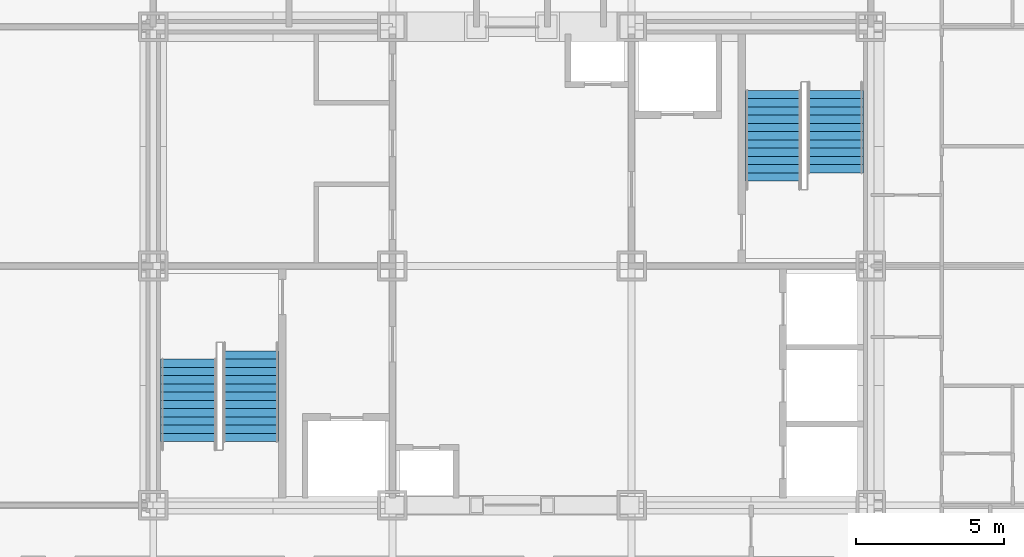
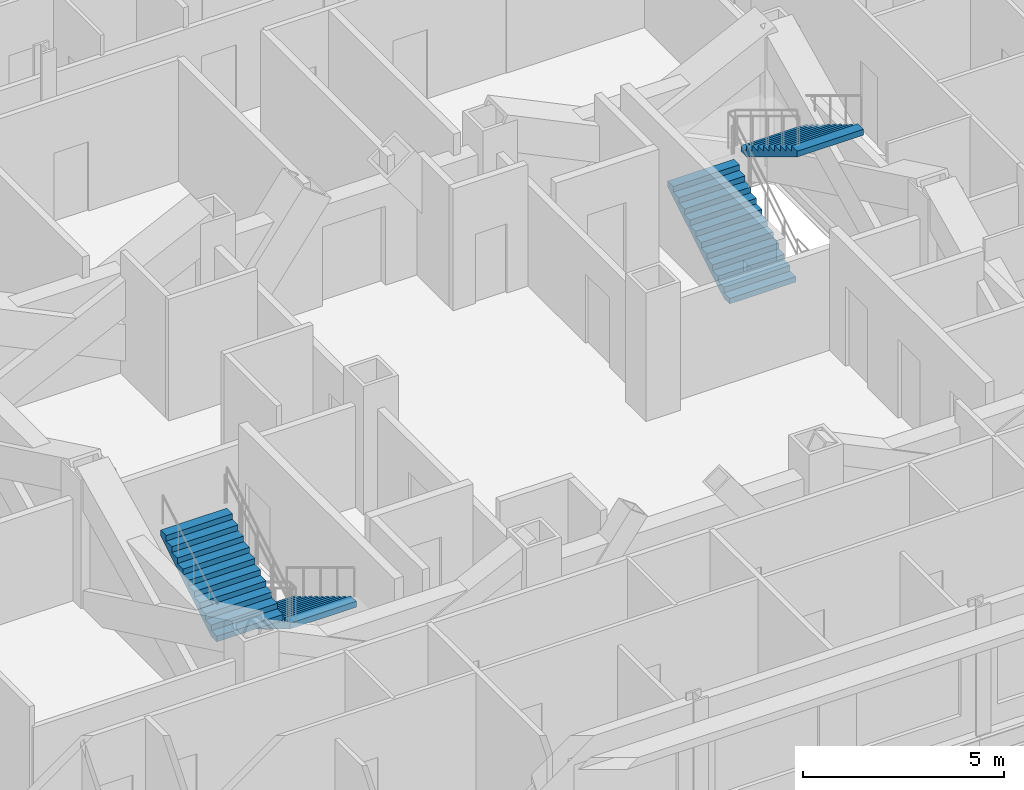
# One storey, part 15 of 16: 4 stair flights, 2 elements without a shape of their own.
"""IFC4 building model written with IfcOpenShell, lengths in metres."""

from ifc_helpers import new_model, si_unit, direction, frame, origin, place, context, subcontext, project, spatial, polygons, source, transform, mapped, material, type_object, element, aggregate, save


model = new_model("IFC4")

# Units and contexts
model_context = context("Model", 3, precision=1e-05, world=origin(), true_north=direction((0.0, 1.0)))
body_context = subcontext(model_context, "Body", "Model", "MODEL_VIEW")
ifc_project = project(units=[si_unit("LENGTHUNIT", "METRE"), si_unit("AREAUNIT", "SQUARE_METRE"), si_unit("VOLUMEUNIT", "CUBIC_METRE"), si_unit("PLANEANGLEUNIT", "RADIAN"), si_unit("MASSUNIT", "GRAM", prefix="KILO")], contexts=[model_context])

# Site, building, storey
site_placement = place(None, origin())
site = spatial("IfcSite", under=ifc_project, at=site_placement, CompositionType="ELEMENT")
building_placement = place(site_placement, origin())
building = spatial("IfcBuilding", under=site, at=building_placement, Name="Kopane Lantern Tower", CompositionType="ELEMENT")
storey_placement = place(building_placement, frame((0.0, 0.0, 261.89990234375)))
storey = spatial("IfcBuildingStorey", under=building, at=storey_placement, Name="L67", CompositionType="ELEMENT", Elevation=261.89990234375)

# Stair, stair flight
ifc_material_1 = material(Name="Steel S355JR", Category="steel")
stair_type = type_object("IfcStairType", Name="EXIT STAIR 1900 HALF TURN", PredefinedType="HALF_TURN_STAIR", material=ifc_material_1)
stair_1_placement = place(storey_placement, origin())
stair_1 = element("IfcStair", 1, at=stair_1_placement, inside=storey, type_object=stair_type, Name="Exit stair ST1 L67", PredefinedType="HALF_TURN_STAIR")
ifc_material_2 = material(Name="Steel S355JR", Category="steel")
stair_flight_type = type_object("IfcStairFlightType", Name="STAIR FLIGHT 1900 STEEL", PredefinedType="STRAIGHT", material=ifc_material_2)
shared_shape_1 = source(origin(), body_context, "Body", "Tessellation", [
    polygons([(3.080078125, 0.949951172, 1.865234375), (2.800048828, 0.949951172, 1.865234375), (2.800048828, -0.949951172, 1.865234375), (3.080078125, -0.949951172, 1.865234375), (0.289306641, 0.949951172, 0.0), (3.080078125, 0.949951172, 1.689941406), (3.080078125, -0.949951172, 1.689941406), (0.289306641, -0.949951172, 0.0), (0.0, 0.949951172, 0.0), (0.0, -0.949951172, 0.0), (0.280029297, 0.949951172, 0.169677734), (0.0, 0.949951172, 0.169677734), (0.0, -0.949951172, 0.169677734), (0.280029297, -0.949951172, 0.169677734), (0.280029297, 0.949951172, 0.339111328), (0.280029297, -0.949951172, 0.339111328), (0.560058594, 0.949951172, 0.339111328), (0.560058594, -0.949951172, 0.339111328), (0.560058594, 0.949951172, 0.508789062), (0.560058594, -0.949951172, 0.508789062), (0.840087891, 0.949951172, 0.508789062), (0.840087891, -0.949951172, 0.508789062), (0.840087891, 0.949951172, 0.678222656), (0.840087891, -0.949951172, 0.678222656), (1.120117188, 0.949951172, 0.678222656), (1.120117188, -0.949951172, 0.678222656), (1.120117188, 0.949951172, 0.847900391), (1.120117188, -0.949951172, 0.847900391), (1.399902344, 0.949951172, 0.847900391), (1.399902344, -0.949951172, 0.847900391), (1.399902344, 0.949951172, 1.017333984), (1.399902344, -0.949951172, 1.017333984), (1.679931641, 0.949951172, 1.017333984), (1.679931641, -0.949951172, 1.017333984), (1.679931641, 0.949951172, 1.187011719), (1.679931641, -0.949951172, 1.187011719), (1.959960938, 0.949951172, 1.187011719), (1.959960938, -0.949951172, 1.187011719), (1.959960938, 0.949951172, 1.356445312), (1.959960938, -0.949951172, 1.356445312), (2.239990234, 0.949951172, 1.356445312), (2.239990234, -0.949951172, 1.356445312), (2.239990234, 0.949951172, 1.526123047), (2.239990234, -0.949951172, 1.526123047), (2.520019531, 0.949951172, 1.526123047), (2.520019531, -0.949951172, 1.526123047), (2.520019531, 0.949951172, 1.695556641), (2.520019531, -0.949951172, 1.695556641), (2.800048828, 0.949951172, 1.695556641), (2.800048828, -0.949951172, 1.695556641), (0.0, 0.0, 0.004585885), (0.0, 0.0, 0.009171769), (0.0, 0.0, 0.013757654), (0.0, 0.0, 0.018343539), (0.0, 0.0, 0.022929424), (0.0, 0.0, 0.027515308), (0.0, 0.0, 0.032101193), (0.0, 0.0, 0.036687078), (0.0, 0.0, 0.041272962), (0.0, 0.0, 0.045858847), (0.0, 0.0, 0.050444732), (0.0, 0.0, 0.055030617), (0.0, 0.0, 0.059616501), (0.0, 0.0, 0.064202386), (0.0, 0.0, 0.068788271), (0.0, 0.0, 0.073374155), (0.0, 0.0, 0.07796004), (0.0, 0.0, 0.082545925), (0.0, 0.0, 0.08713181), (0.0, 0.0, 0.091717694), (0.0, 0.0, 0.096303579), (0.0, 0.0, 0.100889464), (0.0, 0.0, 0.105475348), (0.0, 0.0, 0.110061233), (0.0, 0.0, 0.114647118), (0.0, 0.0, 0.119233003), (0.0, 0.0, 0.123818887), (0.0, 0.0, 0.128404772), (0.0, 0.0, 0.132990657), (0.0, 0.0, 0.137576541), (0.0, 0.0, 0.142162426), (0.0, 0.0, 0.146748311), (0.0, 0.0, 0.151334196), (0.0, 0.0, 0.15592008), (0.0, 0.0, 0.160505965), (0.0, 0.0, 0.16509185), (3.080078125, 0.0, 1.694679054), (3.080078125, 0.0, 1.699416702), (3.080078125, 0.0, 1.70415435), (3.080078125, 0.0, 1.708891997), (3.080078125, 0.0, 1.713629645), (3.080078125, 0.0, 1.718367293), (3.080078125, 0.0, 1.723104941), (3.080078125, 0.0, 1.727842589), (3.080078125, 0.0, 1.732580236), (3.080078125, 0.0, 1.737317884), (3.080078125, 0.0, 1.742055532), (3.080078125, 0.0, 1.74679318), (3.080078125, 0.0, 1.751530828), (3.080078125, 0.0, 1.756268476), (3.080078125, 0.0, 1.761006123), (3.080078125, 0.0, 1.765743771), (3.080078125, 0.0, 1.770481419), (3.080078125, 0.0, 1.775219067), (3.080078125, 0.0, 1.779956715), (3.080078125, 0.0, 1.784694362), (3.080078125, 0.0, 1.78943201), (3.080078125, 0.0, 1.794169658), (3.080078125, 0.0, 1.798907306), (3.080078125, 0.0, 1.803644954), (3.080078125, 0.0, 1.808382601), (3.080078125, 0.0, 1.813120249), (3.080078125, 0.0, 1.817857897), (3.080078125, 0.0, 1.822595545), (3.080078125, 0.0, 1.827333193), (3.080078125, 0.0, 1.83207084), (3.080078125, 0.0, 1.836808488), (3.080078125, 0.0, 1.841546136), (3.080078125, 0.0, 1.846283784), (3.080078125, 0.0, 1.851021432), (3.080078125, 0.0, 1.855759079), (3.080078125, 0.0, 1.860496727)], [[[1, 2, 3]], [[1, 3, 4]], [[5, 6, 7]], [[5, 7, 8]], [[9, 5, 8]], [[9, 8, 10]], [[11, 12, 13]], [[11, 13, 14]], [[15, 11, 14]], [[15, 14, 16]], [[17, 15, 16]], [[17, 16, 18]], [[19, 17, 18]], [[19, 18, 20]], [[21, 19, 20]], [[21, 20, 22]], [[23, 21, 22]], [[23, 22, 24]], [[25, 23, 24]], [[25, 24, 26]], [[27, 25, 26]], [[27, 26, 28]], [[29, 27, 28]], [[29, 28, 30]], [[31, 29, 30]], [[31, 30, 32]], [[33, 31, 32]], [[33, 32, 34]], [[35, 33, 34]], [[35, 34, 36]], [[37, 35, 36]], [[37, 36, 38]], [[39, 37, 38]], [[39, 38, 40]], [[41, 39, 40]], [[41, 40, 42]], [[43, 41, 42]], [[43, 42, 44]], [[45, 43, 44]], [[45, 44, 46]], [[47, 45, 46]], [[47, 46, 48]], [[49, 47, 48]], [[49, 48, 50]], [[2, 49, 50]], [[2, 50, 3]], [[49, 1, 6]], [[45, 49, 6]], [[2, 1, 49]], [[41, 45, 6]], [[47, 49, 45]], [[37, 41, 6]], [[43, 45, 41]], [[39, 41, 37]], [[35, 37, 33]], [[31, 33, 29]], [[5, 21, 25]], [[27, 29, 25]], [[17, 21, 5]], [[23, 25, 21]], [[11, 17, 5]], [[19, 21, 17]], [[9, 11, 5]], [[15, 17, 11]], [[12, 11, 9]], [[6, 5, 25]], [[6, 25, 29]], [[6, 29, 33]], [[6, 33, 37]], [[7, 4, 50]], [[7, 50, 46]], [[50, 4, 3]], [[7, 46, 42]], [[46, 50, 48]], [[7, 42, 38]], [[42, 46, 44]], [[38, 42, 40]], [[34, 38, 36]], [[30, 34, 32]], [[26, 22, 8]], [[26, 30, 28]], [[8, 22, 18]], [[22, 26, 24]], [[8, 18, 14]], [[18, 22, 20]], [[8, 14, 10]], [[14, 18, 16]], [[10, 14, 13]], [[26, 8, 7]], [[30, 26, 7]], [[34, 30, 7]], [[38, 34, 7]], [[10, 51, 9]], [[10, 52, 51]], [[9, 51, 52]], [[10, 53, 52]], [[9, 52, 53]], [[10, 54, 53]], [[9, 53, 54]], [[10, 55, 54]], [[9, 54, 55]], [[10, 56, 55]], [[9, 55, 56]], [[10, 57, 56]], [[9, 56, 57]], [[10, 58, 57]], [[9, 57, 58]], [[10, 59, 58]], [[9, 58, 59]], [[10, 60, 59]], [[9, 59, 60]], [[10, 61, 60]], [[9, 60, 61]], [[10, 62, 61]], [[9, 61, 62]], [[10, 63, 62]], [[9, 62, 63]], [[10, 64, 63]], [[9, 63, 64]], [[10, 65, 64]], [[9, 64, 65]], [[10, 66, 65]], [[9, 65, 66]], [[10, 67, 66]], [[9, 66, 67]], [[10, 68, 67]], [[9, 67, 68]], [[10, 69, 68]], [[9, 68, 69]], [[10, 70, 69]], [[9, 69, 70]], [[10, 71, 70]], [[9, 70, 71]], [[10, 72, 71]], [[9, 71, 72]], [[10, 73, 72]], [[9, 72, 73]], [[10, 74, 73]], [[9, 73, 74]], [[10, 75, 74]], [[9, 74, 75]], [[10, 76, 75]], [[9, 75, 76]], [[10, 77, 76]], [[9, 76, 77]], [[10, 78, 77]], [[9, 77, 78]], [[10, 79, 78]], [[9, 78, 79]], [[10, 80, 79]], [[9, 79, 80]], [[10, 81, 80]], [[9, 80, 81]], [[10, 82, 81]], [[9, 81, 82]], [[10, 83, 82]], [[9, 82, 83]], [[10, 84, 83]], [[9, 83, 84]], [[10, 85, 84]], [[9, 84, 85]], [[10, 86, 85]], [[9, 85, 86]], [[10, 13, 86]], [[86, 13, 12]], [[9, 86, 12]], [[7, 6, 87]], [[7, 87, 88]], [[6, 88, 87]], [[7, 88, 89]], [[6, 89, 88]], [[7, 89, 90]], [[6, 90, 89]], [[7, 90, 91]], [[6, 91, 90]], [[7, 91, 92]], [[6, 92, 91]], [[7, 92, 93]], [[6, 93, 92]], [[7, 93, 94]], [[6, 94, 93]], [[7, 94, 95]], [[6, 95, 94]], [[7, 95, 96]], [[6, 96, 95]], [[7, 96, 97]], [[6, 97, 96]], [[7, 97, 98]], [[6, 98, 97]], [[7, 98, 99]], [[6, 99, 98]], [[7, 99, 100]], [[6, 100, 99]], [[7, 100, 101]], [[6, 101, 100]], [[7, 101, 102]], [[6, 102, 101]], [[7, 102, 103]], [[6, 103, 102]], [[7, 103, 104]], [[6, 104, 103]], [[7, 104, 105]], [[6, 105, 104]], [[7, 105, 106]], [[6, 106, 105]], [[7, 106, 107]], [[6, 107, 106]], [[7, 107, 108]], [[6, 108, 107]], [[7, 108, 109]], [[6, 109, 108]], [[7, 109, 110]], [[6, 110, 109]], [[7, 110, 111]], [[6, 111, 110]], [[7, 111, 112]], [[6, 112, 111]], [[7, 112, 113]], [[6, 113, 112]], [[7, 113, 114]], [[6, 114, 113]], [[7, 114, 115]], [[6, 115, 114]], [[7, 115, 116]], [[6, 116, 115]], [[7, 116, 117]], [[6, 117, 116]], [[7, 117, 118]], [[6, 118, 117]], [[7, 118, 119]], [[6, 119, 118]], [[7, 119, 120]], [[6, 120, 119]], [[7, 120, 121]], [[6, 121, 120]], [[7, 121, 122]], [[6, 122, 121]], [[7, 122, 4]], [[122, 1, 4]], [[6, 1, 122]]], closed=True),
])
stair_flight_1_placement = place(storey_placement, frame((19.5, 29.530029296875, 0.0), z_axis=(0.0, 0.0, 1.0), x_axis=(0.0, -1.0, 0.0)))
stair_flight_1 = element("IfcStairFlight", 2, at=stair_flight_1_placement, type_object=stair_flight_type, Name="ST1 flight 1", NumberOfRisers=12, NumberOfTreads=11, PredefinedType="STRAIGHT", RiserHeight=0.169565217, TreadLength=0.28, context=body_context, shape_type="MappedRepresentation", body=[
    mapped(shared_shape_1, transform((0.0, 0.0, 0.0))),
])

stair_2_placement = place(storey_placement, origin())
stair_2 = element("IfcStair", 3, at=stair_2_placement, inside=storey, type_object=stair_type, Name="Exit stair ST2 L67", PredefinedType="HALF_TURN_STAIR")
stair_flight_2_placement = place(storey_placement, frame((37.199951171875, 35.27001953125, 0.0), z_axis=(0.0, 0.0, 1.0), x_axis=(0.0, 1.0, 0.0)))
stair_flight_2 = element("IfcStairFlight", 4, at=stair_flight_2_placement, type_object=stair_flight_type, Name="ST2 flight 1", NumberOfRisers=12, NumberOfTreads=11, PredefinedType="STRAIGHT", RiserHeight=0.169565217, TreadLength=0.28, context=body_context, shape_type="MappedRepresentation", body=[
    mapped(shared_shape_1, transform((0.0, 0.0, 0.0))),
])

# Stair flight
shared_shape_2 = source(origin(), body_context, "Body", "Tessellation", [
    polygons([(2.800048828, 0.949951172, 1.695556641), (2.520019531, 0.949951172, 1.695556641), (2.520019531, -0.949951172, 1.695556641), (2.800048828, -0.949951172, 1.695556641), (0.289306641, 0.949951172, 0.0), (2.800048828, 0.949951172, 1.520507812), (2.800048828, -0.949951172, 1.520507812), (0.289306641, -0.949951172, 0.0), (0.0, 0.949951172, 0.0), (0.0, -0.949951172, 0.0), (0.280029297, 0.949951172, 0.169677734), (0.0, 0.949951172, 0.169677734), (0.0, -0.949951172, 0.169677734), (0.280029297, -0.949951172, 0.169677734), (0.280029297, 0.949951172, 0.339111328), (0.280029297, -0.949951172, 0.339111328), (0.560058594, 0.949951172, 0.339111328), (0.560058594, -0.949951172, 0.339111328), (0.560058594, 0.949951172, 0.508789062), (0.560058594, -0.949951172, 0.508789062), (0.840087891, 0.949951172, 0.508789062), (0.840087891, -0.949951172, 0.508789062), (0.840087891, 0.949951172, 0.678222656), (0.840087891, -0.949951172, 0.678222656), (1.120117188, 0.949951172, 0.678222656), (1.120117188, -0.949951172, 0.678222656), (1.120117188, 0.949951172, 0.847900391), (1.120117188, -0.949951172, 0.847900391), (1.399902344, 0.949951172, 0.847900391), (1.399902344, -0.949951172, 0.847900391), (1.399902344, 0.949951172, 1.017333984), (1.399902344, -0.949951172, 1.017333984), (1.679931641, 0.949951172, 1.017333984), (1.679931641, -0.949951172, 1.017333984), (1.679931641, 0.949951172, 1.187011719), (1.679931641, -0.949951172, 1.187011719), (1.959960938, 0.949951172, 1.187011719), (1.959960938, -0.949951172, 1.187011719), (1.959960938, 0.949951172, 1.356445312), (1.959960938, -0.949951172, 1.356445312), (2.239990234, 0.949951172, 1.356445312), (2.239990234, -0.949951172, 1.356445312), (2.239990234, 0.949951172, 1.526123047), (2.239990234, -0.949951172, 1.526123047), (2.520019531, 0.949951172, 1.526123047), (2.520019531, -0.949951172, 1.526123047), (0.0, 0.0, 0.004585885), (0.0, 0.0, 0.009171769), (0.0, 0.0, 0.013757654), (0.0, 0.0, 0.018343539), (0.0, 0.0, 0.022929424), (0.0, 0.0, 0.027515308), (0.0, 0.0, 0.032101193), (0.0, 0.0, 0.036687078), (0.0, 0.0, 0.041272962), (0.0, 0.0, 0.045858847), (0.0, 0.0, 0.050444732), (0.0, 0.0, 0.055030617), (0.0, 0.0, 0.059616501), (0.0, 0.0, 0.064202386), (0.0, 0.0, 0.068788271), (0.0, 0.0, 0.073374155), (0.0, 0.0, 0.07796004), (0.0, 0.0, 0.082545925), (0.0, 0.0, 0.08713181), (0.0, 0.0, 0.091717694), (0.0, 0.0, 0.096303579), (0.0, 0.0, 0.100889464), (0.0, 0.0, 0.105475348), (0.0, 0.0, 0.110061233), (0.0, 0.0, 0.114647118), (0.0, 0.0, 0.119233003), (0.0, 0.0, 0.123818887), (0.0, 0.0, 0.128404772), (0.0, 0.0, 0.132990657), (0.0, 0.0, 0.137576541), (0.0, 0.0, 0.142162426), (0.0, 0.0, 0.146748311), (0.0, 0.0, 0.151334196), (0.0, 0.0, 0.15592008), (0.0, 0.0, 0.160505965), (0.0, 0.0, 0.16509185), (2.800048828, 0.0, 1.525238862), (2.800048828, 0.0, 1.529969911), (2.800048828, 0.0, 1.534700961), (2.800048828, 0.0, 1.53943201), (2.800048828, 0.0, 1.54416306), (2.800048828, 0.0, 1.548894109), (2.800048828, 0.0, 1.553625158), (2.800048828, 0.0, 1.558356208), (2.800048828, 0.0, 1.563087257), (2.800048828, 0.0, 1.567818307), (2.800048828, 0.0, 1.572549356), (2.800048828, 0.0, 1.577280405), (2.800048828, 0.0, 1.582011455), (2.800048828, 0.0, 1.586742504), (2.800048828, 0.0, 1.591473554), (2.800048828, 0.0, 1.596204603), (2.800048828, 0.0, 1.600935652), (2.800048828, 0.0, 1.605666702), (2.800048828, 0.0, 1.610397751), (2.800048828, 0.0, 1.615128801), (2.800048828, 0.0, 1.61985985), (2.800048828, 0.0, 1.624590899), (2.800048828, 0.0, 1.629321949), (2.800048828, 0.0, 1.634052998), (2.800048828, 0.0, 1.638784048), (2.800048828, 0.0, 1.643515097), (2.800048828, 0.0, 1.648246147), (2.800048828, 0.0, 1.652977196), (2.800048828, 0.0, 1.657708245), (2.800048828, 0.0, 1.662439295), (2.800048828, 0.0, 1.667170344), (2.800048828, 0.0, 1.671901394), (2.800048828, 0.0, 1.676632443), (2.800048828, 0.0, 1.681363492), (2.800048828, 0.0, 1.686094542), (2.800048828, 0.0, 1.690825591)], [[[1, 2, 3]], [[1, 3, 4]], [[5, 6, 7]], [[5, 7, 8]], [[9, 5, 8]], [[9, 8, 10]], [[11, 12, 13]], [[11, 13, 14]], [[15, 11, 14]], [[15, 14, 16]], [[17, 15, 16]], [[17, 16, 18]], [[19, 17, 18]], [[19, 18, 20]], [[21, 19, 20]], [[21, 20, 22]], [[23, 21, 22]], [[23, 22, 24]], [[25, 23, 24]], [[25, 24, 26]], [[27, 25, 26]], [[27, 26, 28]], [[29, 27, 28]], [[29, 28, 30]], [[31, 29, 30]], [[31, 30, 32]], [[33, 31, 32]], [[33, 32, 34]], [[35, 33, 34]], [[35, 34, 36]], [[37, 35, 36]], [[37, 36, 38]], [[39, 37, 38]], [[39, 38, 40]], [[41, 39, 40]], [[41, 40, 42]], [[43, 41, 42]], [[43, 42, 44]], [[45, 43, 44]], [[45, 44, 46]], [[2, 45, 46]], [[2, 46, 3]], [[45, 1, 6]], [[41, 45, 6]], [[2, 1, 45]], [[37, 41, 6]], [[43, 45, 41]], [[39, 41, 37]], [[35, 37, 33]], [[31, 33, 29]], [[5, 21, 25]], [[27, 29, 25]], [[17, 21, 5]], [[23, 25, 21]], [[11, 17, 5]], [[19, 21, 17]], [[9, 11, 5]], [[15, 17, 11]], [[12, 11, 9]], [[6, 5, 25]], [[6, 25, 29]], [[6, 29, 33]], [[6, 33, 37]], [[7, 4, 46]], [[7, 46, 42]], [[46, 4, 3]], [[7, 42, 38]], [[42, 46, 44]], [[38, 42, 40]], [[34, 38, 36]], [[30, 34, 32]], [[26, 22, 8]], [[26, 30, 28]], [[8, 22, 18]], [[22, 26, 24]], [[8, 18, 14]], [[18, 22, 20]], [[8, 14, 10]], [[14, 18, 16]], [[10, 14, 13]], [[26, 8, 7]], [[30, 26, 7]], [[34, 30, 7]], [[38, 34, 7]], [[10, 47, 9]], [[10, 48, 47]], [[9, 47, 48]], [[10, 49, 48]], [[9, 48, 49]], [[10, 50, 49]], [[9, 49, 50]], [[10, 51, 50]], [[9, 50, 51]], [[10, 52, 51]], [[9, 51, 52]], [[10, 53, 52]], [[9, 52, 53]], [[10, 54, 53]], [[9, 53, 54]], [[10, 55, 54]], [[9, 54, 55]], [[10, 56, 55]], [[9, 55, 56]], [[10, 57, 56]], [[9, 56, 57]], [[10, 58, 57]], [[9, 57, 58]], [[10, 59, 58]], [[9, 58, 59]], [[10, 60, 59]], [[9, 59, 60]], [[10, 61, 60]], [[9, 60, 61]], [[10, 62, 61]], [[9, 61, 62]], [[10, 63, 62]], [[9, 62, 63]], [[10, 64, 63]], [[9, 63, 64]], [[10, 65, 64]], [[9, 64, 65]], [[10, 66, 65]], [[9, 65, 66]], [[10, 67, 66]], [[9, 66, 67]], [[10, 68, 67]], [[9, 67, 68]], [[10, 69, 68]], [[9, 68, 69]], [[10, 70, 69]], [[9, 69, 70]], [[10, 71, 70]], [[9, 70, 71]], [[10, 72, 71]], [[9, 71, 72]], [[10, 73, 72]], [[9, 72, 73]], [[10, 74, 73]], [[9, 73, 74]], [[10, 75, 74]], [[9, 74, 75]], [[10, 76, 75]], [[9, 75, 76]], [[10, 77, 76]], [[9, 76, 77]], [[10, 78, 77]], [[9, 77, 78]], [[10, 79, 78]], [[9, 78, 79]], [[10, 80, 79]], [[9, 79, 80]], [[10, 81, 80]], [[9, 80, 81]], [[10, 82, 81]], [[9, 81, 82]], [[10, 13, 82]], [[82, 13, 12]], [[9, 82, 12]], [[7, 6, 83]], [[7, 83, 84]], [[6, 84, 83]], [[7, 84, 85]], [[6, 85, 84]], [[7, 85, 86]], [[6, 86, 85]], [[7, 86, 87]], [[6, 87, 86]], [[7, 87, 88]], [[6, 88, 87]], [[7, 88, 89]], [[6, 89, 88]], [[7, 89, 90]], [[6, 90, 89]], [[7, 90, 91]], [[6, 91, 90]], [[7, 91, 92]], [[6, 92, 91]], [[7, 92, 93]], [[6, 93, 92]], [[7, 93, 94]], [[6, 94, 93]], [[7, 94, 95]], [[6, 95, 94]], [[7, 95, 96]], [[6, 96, 95]], [[7, 96, 97]], [[6, 97, 96]], [[7, 97, 98]], [[6, 98, 97]], [[7, 98, 99]], [[6, 99, 98]], [[7, 99, 100]], [[6, 100, 99]], [[7, 100, 101]], [[6, 101, 100]], [[7, 101, 102]], [[6, 102, 101]], [[7, 102, 103]], [[6, 103, 102]], [[7, 103, 104]], [[6, 104, 103]], [[7, 104, 105]], [[6, 105, 104]], [[7, 105, 106]], [[6, 106, 105]], [[7, 106, 107]], [[6, 107, 106]], [[7, 107, 108]], [[6, 108, 107]], [[7, 108, 109]], [[6, 109, 108]], [[7, 109, 110]], [[6, 110, 109]], [[7, 110, 111]], [[6, 111, 110]], [[7, 111, 112]], [[6, 112, 111]], [[7, 112, 113]], [[6, 113, 112]], [[7, 113, 114]], [[6, 114, 113]], [[7, 114, 115]], [[6, 115, 114]], [[7, 115, 116]], [[6, 116, 115]], [[7, 116, 117]], [[6, 117, 116]], [[7, 117, 118]], [[6, 118, 117]], [[7, 118, 4]], [[118, 1, 4]], [[6, 1, 118]]], closed=True),
])
stair_flight_3_placement = place(storey_placement, frame((17.39990234375, 26.449951171875, 2.034912109375), z_axis=(0.0, 0.0, 1.0), x_axis=(0.0, 1.0, 0.0)))
stair_flight_3 = element("IfcStairFlight", 5, at=stair_flight_3_placement, type_object=stair_flight_type, Name="ST1 flight 2", NumberOfRisers=11, NumberOfTreads=10, PredefinedType="STRAIGHT", RiserHeight=0.169565217, TreadLength=0.28, context=body_context, shape_type="MappedRepresentation", body=[
    mapped(shared_shape_2, transform((0.0, 0.0, 0.0))),
])

aggregate(stair_1, [stair_flight_1, stair_flight_3])

stair_flight_4_placement = place(storey_placement, frame((39.300048828125, 38.35009765625, 2.034912109375), z_axis=(0.0, 0.0, 1.0), x_axis=(0.0, -1.0, 0.0)))
stair_flight_4 = element("IfcStairFlight", 6, at=stair_flight_4_placement, type_object=stair_flight_type, Name="ST2 flight 2", NumberOfRisers=11, NumberOfTreads=10, PredefinedType="STRAIGHT", RiserHeight=0.169565217, TreadLength=0.28, context=body_context, shape_type="MappedRepresentation", body=[
    mapped(shared_shape_2, transform((0.0, 0.0, 0.0))),
])

aggregate(stair_2, [stair_flight_2, stair_flight_4])

save(model, "model.ifc")
